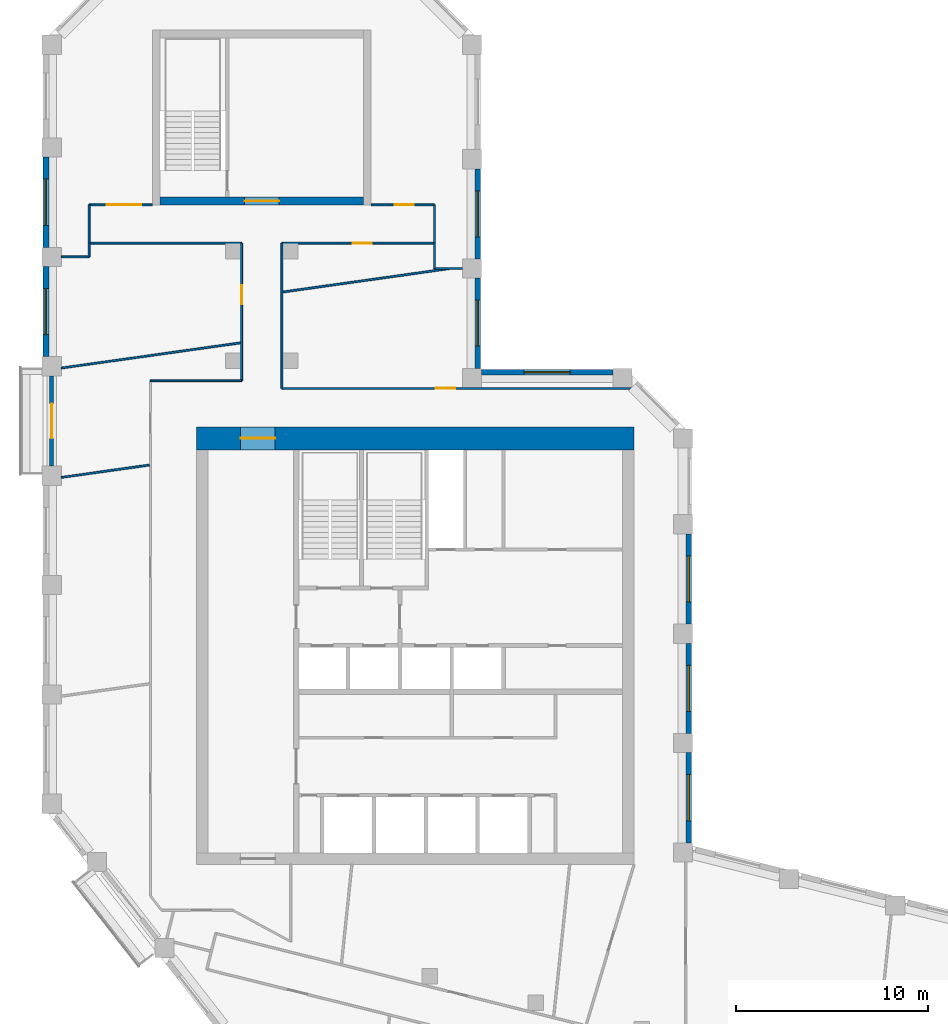
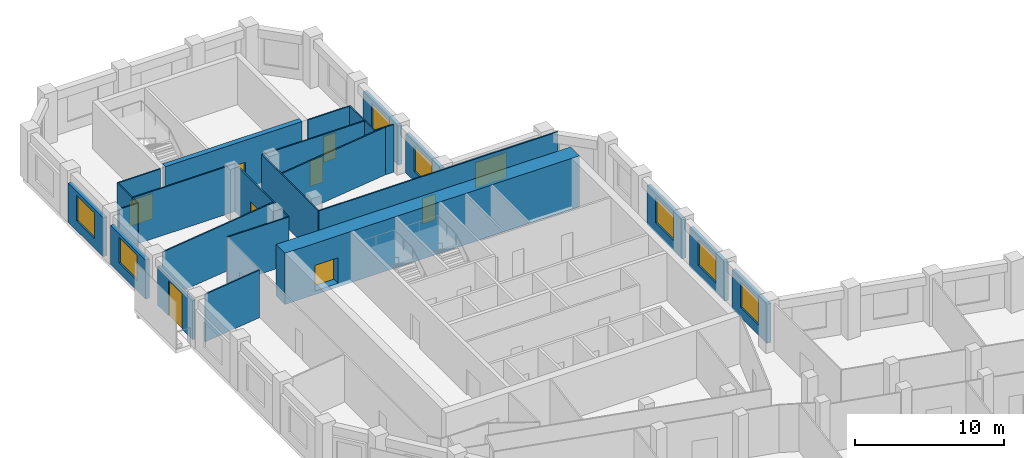
# One storey, part 6 of 9: 28 walls, 8 doors, 8 windows, 16 openings.
"""IFC4 building model written with IfcOpenShell, lengths in metres."""

from ifc_helpers import new_model, si_unit, direction, frame, frame_2d, origin, place, context, subcontext, project, spatial, rectangle, extrude, material, layer, layer_set, type_object, element, fill, save


model = new_model("IFC4")

# Units and contexts
model_context = context("Model", 3, precision=1e-05, world=origin(), true_north=direction((0.0, 1.0)))
body_context = subcontext(model_context, "Body", "Model", "MODEL_VIEW")
ifc_project = project(units=[si_unit("LENGTHUNIT", "METRE"), si_unit("AREAUNIT", "SQUARE_METRE"), si_unit("VOLUMEUNIT", "CUBIC_METRE"), si_unit("PLANEANGLEUNIT", "RADIAN"), si_unit("MASSUNIT", "GRAM", prefix="KILO")], contexts=[model_context])

# Site, building, storey
site_placement = place(None, origin())
site = spatial("IfcSite", under=ifc_project, at=site_placement, CompositionType="ELEMENT")
building_placement = place(site_placement, origin())
building = spatial("IfcBuilding", under=site, at=building_placement, Name="Meshkara Civic Tower", CompositionType="ELEMENT")
storey_placement = place(building_placement, frame((0.0, 0.0, 319.199951171875)))
storey = spatial("IfcBuildingStorey", under=building, at=storey_placement, Name="L73", CompositionType="ELEMENT", Elevation=319.199951171875)

# Wall, opening, door
ifc_material_1 = material(Name="Concrete C60", Category="concrete")
ifc_layer_1 = layer(ifc_material_1, 1.199951171875)
ifc_layer_set_1 = layer_set([ifc_layer_1], Name="Core ring wall 1200 C60")
wall_type_1 = type_object("IfcWallType", Name="Core ring wall 1200 C60", PredefinedType="SHEAR", material=ifc_layer_set_1)
wall_1_placement = place(storey_placement, frame((8.0, 36.300048828125, -0.300048828125), z_axis=(0.0, 0.0, 1.0), x_axis=(1.0, 0.0, 0.0)))
wall_1 = element("IfcWall", 1, at=wall_1_placement, inside=storey, type_object=wall_type_1, Name="L73-C002", PredefinedType="SHEAR", context=body_context, shape_type="SweptSolid", body=[
    extrude(rectangle(XDim=22.800048828125, YDim=1.199951171875, at=frame_2d((11.39990234375, 0.0))), origin(), (0.0, 0.0, 1.0), 4.2001953125),
])
opening_1_placement = place(wall_1_placement, frame((2.300048828125, 0.0, 0.300048828125)))
opening_1 = element("IfcOpeningElement", 2, at=opening_1_placement, cuts=wall_1, Name="Opening L73-K022", PredefinedType="OPENING", context=body_context, shape_type="SweptSolid", body=[
    extrude(rectangle(XDim=1.800048828125, YDim=2.10009765625, at=frame_2d((0.89990234375, 1.050048828125))), frame((0.0, 0.60986328125, 0.0), z_axis=(0.0, -1.0, 0.0), x_axis=(1.0, 0.0, 0.0)), (0.0, 0.0, 1.0), 1.219970703125),
])
ifc_material_2 = material(Name="Fire-rated door leaf in steel frame", Category="steel")
door_type_1 = type_object("IfcDoorType", Name="Core double door 1800 EI 60", OperationType="DOUBLE_DOOR_SINGLE_SWING", PredefinedType="DOOR", material=ifc_material_2)
door_1_placement = place(opening_1_placement, origin())
door_1 = element("IfcDoor", 3, at=door_1_placement, inside=storey, type_object=door_type_1, Name="L73-K022", OperationType="DOUBLE_DOOR_SINGLE_SWING", OverallHeight=2.10009765625, OverallWidth=1.800048828125, PredefinedType="DOOR", context=body_context, shape_type="SweptSolid", body=[
    extrude(rectangle(XDim=1.800048828125, YDim=2.10009765625, at=frame_2d((0.89990234375, 1.050048828125))), frame((0.0, 0.02490234375, 0.0), z_axis=(0.0, -1.0, 0.0), x_axis=(1.0, 0.0, 0.0)), (0.0, 0.0, 1.0), 0.050048828125),
])
fill(opening_1, door_1)

# Walls
ifc_material_3 = material(Name="Corridor wall 100")
ifc_layer_2 = layer(ifc_material_3, 0.10009765625)
ifc_layer_set_2 = layer_set([ifc_layer_2], Name="Corridor wall 100")
wall_type_2 = type_object("IfcWallType", Name="Corridor wall 100", PredefinedType="PARTITIONING", material=ifc_layer_set_2)
wall_2_placement = place(storey_placement, frame((2.39990234375, 46.469970703125, 0.0), z_axis=(0.0, 0.0, 1.0), x_axis=(1.0, 0.0, 0.0)))
element("IfcWall", 4, at=wall_2_placement, inside=storey, type_object=wall_type_2, Name="L73-W001", PredefinedType="PARTITIONING", context=body_context, shape_type="SweptSolid", body=[
    extrude(rectangle(XDim=7.9501953125, YDim=0.10009765625, at=frame_2d((3.97509765625, 0.0))), origin(), (0.0, 0.0, 1.0), 3.900146484375),
])
wall_3_placement = place(storey_placement, frame((2.39990234375, 48.469970703125, 0.0), z_axis=(0.0, 0.0, 1.0), x_axis=(0.0, -1.0, 0.0)))
element("IfcWall", 5, at=wall_3_placement, inside=storey, type_object=wall_type_2, Name="L73-W002", PredefinedType="PARTITIONING", context=body_context, shape_type="SweptSolid", body=[
    extrude(rectangle(XDim=2.0, YDim=0.10009765625, at=frame_2d((1.0, 0.0))), origin(), (0.0, 0.0, 1.0), 3.900146484375),
])

# Wall, opening, door
wall_4_placement = place(storey_placement, frame((5.699951171875, 48.469970703125, 0.0), z_axis=(0.0, 0.0, 1.0), x_axis=(-1.0, 0.0, 0.0)))
wall_4 = element("IfcWall", 6, at=wall_4_placement, inside=storey, type_object=wall_type_2, Name="L73-W005", PredefinedType="PARTITIONING", context=body_context, shape_type="SweptSolid", body=[
    extrude(rectangle(XDim=3.300048828125, YDim=0.10009765625, at=frame_2d((1.64990234375, 0.0))), origin(), (0.0, 0.0, 1.0), 3.900146484375),
])
opening_2_placement = place(wall_4_placement, frame((0.580078125, 0.0, 0.0)))
opening_2 = element("IfcOpeningElement", 7, at=opening_2_placement, cuts=wall_4, Name="Opening L73-D019", PredefinedType="OPENING", context=body_context, shape_type="SweptSolid", body=[
    extrude(rectangle(XDim=1.800048828125, YDim=2.10009765625, at=frame_2d((0.89990234375, 1.050048828125))), frame((0.0, 0.06005859375, 0.0), z_axis=(0.0, -1.0, 0.0), x_axis=(1.0, 0.0, 0.0)), (0.0, 0.0, 1.0), 0.1201171875),
])
ifc_material_4 = material(Name="Door pair 1800 x 2100")
door_type_2 = type_object("IfcDoorType", Name="Door pair 1800 x 2100", OperationType="SINGLE_SWING_LEFT", PredefinedType="DOOR", material=ifc_material_4)
door_2_placement = place(opening_2_placement, origin())
door_2 = element("IfcDoor", 8, at=door_2_placement, inside=storey, type_object=door_type_2, Name="L73-D019", OperationType="DOUBLE_DOOR_SINGLE_SWING", OverallHeight=2.10009765625, OverallWidth=1.800048828125, PredefinedType="DOOR", context=body_context, shape_type="SweptSolid", body=[
    extrude(rectangle(XDim=1.800048828125, YDim=2.10009765625, at=frame_2d((0.89990234375, 1.050048828125))), frame((0.0, 0.02490234375, 0.0), z_axis=(0.0, -1.0, 0.0), x_axis=(1.0, 0.0, 0.0)), (0.0, 0.0, 1.0), 0.050048828125),
])
fill(opening_2, door_2)

# Wall
wall_5_placement = place(storey_placement, frame((10.35009765625, 39.300048828125, 0.0), z_axis=(0.0, 0.0, 1.0), x_axis=(-1.0, 0.0, 0.0)))
element("IfcWall", 9, at=wall_5_placement, inside=storey, type_object=wall_type_2, Name="L73-W011", PredefinedType="PARTITIONING", context=body_context, shape_type="SweptSolid", body=[
    extrude(rectangle(XDim=4.75, YDim=0.10009765625, at=frame_2d((2.375, 0.0))), origin(), (0.0, 0.0, 1.0), 3.900146484375),
])

# Wall, opening, door
wall_6_placement = place(storey_placement, frame((10.35009765625, 46.469970703125, 0.0), z_axis=(0.0, 0.0, 1.0), x_axis=(0.0, -1.0, 0.0)))
wall_6 = element("IfcWall", 10, at=wall_6_placement, inside=storey, type_object=wall_type_2, Name="L73-W012", PredefinedType="PARTITIONING", context=body_context, shape_type="SweptSolid", body=[
    extrude(rectangle(XDim=7.169921875, YDim=0.10009765625, at=frame_2d((3.5849609375, 0.0))), origin(), (0.0, 0.0, 1.0), 3.900146484375),
])
opening_3_placement = place(wall_6_placement, frame((2.179931640625, 0.0, 0.0)))
opening_3 = element("IfcOpeningElement", 11, at=opening_3_placement, cuts=wall_6, Name="Opening L73-D017", PredefinedType="OPENING", context=body_context, shape_type="SweptSolid", body=[
    extrude(rectangle(XDim=1.0, YDim=2.10009765625, at=frame_2d((0.5, 1.050048828125))), frame((0.0, 0.06005859375, 0.0), z_axis=(0.0, -1.0, 0.0), x_axis=(1.0, 0.0, 0.0)), (0.0, 0.0, 1.0), 0.1201171875),
])
ifc_material_5 = material(Name="Door 1000 x 2100")
door_type_3 = type_object("IfcDoorType", Name="Door 1000 x 2100", OperationType="SINGLE_SWING_LEFT", PredefinedType="DOOR", material=ifc_material_5)
door_3_placement = place(opening_3_placement, origin())
door_3 = element("IfcDoor", 12, at=door_3_placement, inside=storey, type_object=door_type_3, Name="L73-D017", OperationType="SINGLE_SWING_LEFT", OverallHeight=2.10009765625, OverallWidth=1.0, PredefinedType="DOOR", context=body_context, shape_type="SweptSolid", body=[
    extrude(rectangle(XDim=1.0, YDim=2.10009765625, at=frame_2d((0.5, 1.050048828125))), frame((0.0, 0.02490234375, 0.0), z_axis=(0.0, -1.0, 0.0), x_axis=(1.0, 0.0, 0.0)), (0.0, 0.0, 1.0), 0.050048828125),
])
fill(opening_3, door_3)

# Wall
wall_7_placement = place(storey_placement, frame((12.449951171875, 46.469970703125, 0.0), z_axis=(0.0, 0.0, 1.0), x_axis=(0.0, -1.0, 0.0)))
element("IfcWall", 13, at=wall_7_placement, inside=storey, type_object=wall_type_2, Name="L73-W013", PredefinedType="PARTITIONING", context=body_context, shape_type="SweptSolid", body=[
    extrude(rectangle(XDim=7.570068359375, YDim=0.10009765625, at=frame_2d((3.78515625, 0.0))), origin(), (0.0, 0.0, 1.0), 3.900146484375),
])

# Wall, opening, door
wall_8_placement = place(storey_placement, frame((12.449951171875, 46.469970703125, 0.0), z_axis=(0.0, 0.0, 1.0), x_axis=(1.0, 0.0, 0.0)))
wall_8 = element("IfcWall", 14, at=wall_8_placement, inside=storey, type_object=wall_type_2, Name="L73-W014", PredefinedType="PARTITIONING", context=body_context, shape_type="SweptSolid", body=[
    extrude(rectangle(XDim=7.949951171875, YDim=0.10009765625, at=frame_2d((3.97509765625, 0.0))), origin(), (0.0, 0.0, 1.0), 3.900146484375),
])
opening_4_placement = place(wall_8_placement, frame((3.679931640625, 0.0, 0.0)))
opening_4 = element("IfcOpeningElement", 15, at=opening_4_placement, cuts=wall_8, Name="Opening L73-D018", PredefinedType="OPENING", context=body_context, shape_type="SweptSolid", body=[
    extrude(rectangle(XDim=1.0, YDim=2.10009765625, at=frame_2d((0.5, 1.050048828125))), frame((0.0, 0.06005859375, 0.0), z_axis=(0.0, -1.0, 0.0), x_axis=(1.0, 0.0, 0.0)), (0.0, 0.0, 1.0), 0.1201171875),
])
door_4_placement = place(opening_4_placement, origin())
door_4 = element("IfcDoor", 16, at=door_4_placement, inside=storey, type_object=door_type_3, Name="L73-D018", OperationType="SINGLE_SWING_LEFT", OverallHeight=2.10009765625, OverallWidth=1.0, PredefinedType="DOOR", context=body_context, shape_type="SweptSolid", body=[
    extrude(rectangle(XDim=1.0, YDim=2.10009765625, at=frame_2d((0.5, 1.050048828125))), frame((0.0, 0.02490234375, 0.0), z_axis=(0.0, -1.0, 0.0), x_axis=(1.0, 0.0, 0.0)), (0.0, 0.0, 1.0), 0.050048828125),
])
fill(opening_4, door_4)

# Wall
wall_9_placement = place(storey_placement, frame((20.39990234375, 46.469970703125, 0.0), z_axis=(0.0, 0.0, 1.0), x_axis=(0.0, 1.0, 0.0)))
element("IfcWall", 17, at=wall_9_placement, inside=storey, type_object=wall_type_2, Name="L73-W016", PredefinedType="PARTITIONING", context=body_context, shape_type="SweptSolid", body=[
    extrude(rectangle(XDim=2.0, YDim=0.10009765625, at=frame_2d((1.0, 0.0))), origin(), (0.0, 0.0, 1.0), 3.900146484375),
])

# Wall, opening, door
wall_10_placement = place(storey_placement, frame((20.39990234375, 48.469970703125, 0.0), z_axis=(0.0, 0.0, 1.0), x_axis=(-1.0, 0.0, 0.0)))
wall_10 = element("IfcWall", 18, at=wall_10_placement, inside=storey, type_object=wall_type_2, Name="L73-W017", PredefinedType="PARTITIONING", context=body_context, shape_type="SweptSolid", body=[
    extrude(rectangle(XDim=3.2998046875, YDim=0.10009765625, at=frame_2d((1.64990234375, 0.0))), origin(), (0.0, 0.0, 1.0), 3.900146484375),
])
opening_5_placement = place(wall_10_placement, frame((1.080078125, 0.0, 0.0)))
opening_5 = element("IfcOpeningElement", 19, at=opening_5_placement, cuts=wall_10, Name="Opening L73-D020", PredefinedType="OPENING", context=body_context, shape_type="SweptSolid", body=[
    extrude(rectangle(XDim=1.0, YDim=2.10009765625, at=frame_2d((0.5, 1.050048828125))), frame((0.0, 0.06005859375, 0.0), z_axis=(0.0, -1.0, 0.0), x_axis=(1.0, 0.0, 0.0)), (0.0, 0.0, 1.0), 0.1201171875),
])
door_5_placement = place(opening_5_placement, origin())
door_5 = element("IfcDoor", 20, at=door_5_placement, inside=storey, type_object=door_type_3, Name="L73-D020", OperationType="SINGLE_SWING_RIGHT", OverallHeight=2.10009765625, OverallWidth=1.0, PredefinedType="DOOR", context=body_context, shape_type="SweptSolid", body=[
    extrude(rectangle(XDim=1.0, YDim=2.10009765625, at=frame_2d((0.5, 1.050048828125))), frame((0.0, 0.02490234375, 0.0), z_axis=(0.0, -1.0, 0.0), x_axis=(1.0, 0.0, 0.0)), (0.0, 0.0, 1.0), 0.050048828125),
])
fill(opening_5, door_5)

wall_11_placement = place(storey_placement, frame((30.9560546875, 38.89990234375, 0.0), z_axis=(0.0, 0.0, 1.0), x_axis=(-1.0, 0.0, 0.0)))
wall_11 = element("IfcWall", 21, at=wall_11_placement, inside=storey, type_object=wall_type_2, Name="L73-W021", PredefinedType="PARTITIONING", context=body_context, shape_type="SweptSolid", body=[
    extrude(rectangle(XDim=18.506103515625, YDim=0.10009765625, at=frame_2d((9.2529296875, 0.0))), origin(), (0.0, 0.0, 1.0), 3.900146484375),
])
opening_6_placement = place(wall_11_placement, frame((9.47998046875, 0.0, 0.0)))
opening_6 = element("IfcOpeningElement", 22, at=opening_6_placement, cuts=wall_11, Name="Opening L73-D016", PredefinedType="OPENING", context=body_context, shape_type="SweptSolid", body=[
    extrude(rectangle(XDim=1.0, YDim=2.10009765625, at=frame_2d((0.5, 1.050048828125))), frame((0.0, 0.06005859375, 0.0), z_axis=(0.0, -1.0, 0.0), x_axis=(1.0, 0.0, 0.0)), (0.0, 0.0, 1.0), 0.1201171875),
])
door_6_placement = place(opening_6_placement, origin())
door_6 = element("IfcDoor", 23, at=door_6_placement, inside=storey, type_object=door_type_3, Name="L73-D016", OperationType="SINGLE_SWING_LEFT", OverallHeight=2.10009765625, OverallWidth=1.0, PredefinedType="DOOR", context=body_context, shape_type="SweptSolid", body=[
    extrude(rectangle(XDim=1.0, YDim=2.10009765625, at=frame_2d((0.5, 1.050048828125))), frame((0.0, 0.02490234375, 0.0), z_axis=(0.0, -1.0, 0.0), x_axis=(1.0, 0.0, 0.0)), (0.0, 0.0, 1.0), 0.050048828125),
])
fill(opening_6, door_6)

# Wall, opening, window
ifc_material_6 = material(Name="Insulated infill panel with bronze anodised aluminium cladding", Category="aluminium")
ifc_layer_3 = layer(ifc_material_6, 0.300048828125)
ifc_layer_set_3 = layer_set([ifc_layer_3], Name="EXTERNAL INFILL WALL 300")
wall_type_3 = type_object("IfcWallType", Name="EXTERNAL INFILL WALL 300", PredefinedType="SOLIDWALL", material=ifc_layer_set_3)
wall_12_placement = place(storey_placement, frame((33.64990234375, 15.218994140625, 0.0), z_axis=(0.0, 0.0, 1.0), x_axis=(0.0, 1.0, 0.0)))
wall_12 = element("IfcWall", 24, at=wall_12_placement, inside=storey, type_object=wall_type_3, Name="External wall", PredefinedType="SOLIDWALL", context=body_context, shape_type="SweptSolid", body=[
    extrude(rectangle(XDim=4.699951171875, YDim=0.300048828125, at=frame_2d((2.35009765625, 0.0))), origin(), (0.0, 0.0, 1.0), 3.199951171875),
])
opening_7_placement = place(wall_12_placement, frame((1.14990234375, 0.0, 0.800048828125)))
opening_7 = element("IfcOpeningElement", 25, at=opening_7_placement, cuts=wall_12, Name="Opening W7", PredefinedType="OPENING", context=body_context, shape_type="SweptSolid", body=[
    extrude(rectangle(XDim=2.39990234375, YDim=2.10009765625, at=frame_2d((1.199951171875, 1.050048828125))), frame((0.0, 0.159912109375, 0.0), z_axis=(0.0, -1.0, 0.0), x_axis=(1.0, 0.0, 0.0)), (0.0, 0.0, 1.0), 0.320068359375),
])
ifc_material_7 = material(Name="Tinted double glazing", Category="glass")
window_type = type_object("IfcWindowType", Name="WINDOW 2400x2100", PartitioningType="DOUBLE_PANEL_VERTICAL", PredefinedType="WINDOW", material=ifc_material_7)
window_1_placement = place(opening_7_placement, origin())
window_1 = element("IfcWindow", 26, at=window_1_placement, inside=storey, type_object=window_type, Name="Window", OverallHeight=2.10009765625, OverallWidth=2.39990234375, PartitioningType="DOUBLE_PANEL_VERTICAL", PredefinedType="WINDOW", context=body_context, shape_type="SweptSolid", body=[
    extrude(rectangle(XDim=2.39990234375, YDim=2.10009765625, at=frame_2d((1.199951171875, 1.050048828125))), frame((0.0, 0.030029296875, 0.0), z_axis=(0.0, -1.0, 0.0), x_axis=(1.0, 0.0, 0.0)), (0.0, 0.0, 1.0), 0.06005859375),
])
fill(opening_7, window_1)

wall_13_placement = place(storey_placement, frame((33.64990234375, 20.9189453125, 0.0), z_axis=(0.0, 0.0, 1.0), x_axis=(0.0, 1.0, 0.0)))
wall_13 = element("IfcWall", 27, at=wall_13_placement, inside=storey, type_object=wall_type_3, Name="External wall", PredefinedType="SOLIDWALL", context=body_context, shape_type="SweptSolid", body=[
    extrude(rectangle(XDim=4.699951171875, YDim=0.300048828125, at=frame_2d((2.35009765625, 0.0))), origin(), (0.0, 0.0, 1.0), 3.199951171875),
])
opening_8_placement = place(wall_13_placement, frame((1.14990234375, 0.0, 0.800048828125)))
opening_8 = element("IfcOpeningElement", 28, at=opening_8_placement, cuts=wall_13, Name="Opening W7", PredefinedType="OPENING", context=body_context, shape_type="SweptSolid", body=[
    extrude(rectangle(XDim=2.39990234375, YDim=2.10009765625, at=frame_2d((1.199951171875, 1.050048828125))), frame((0.0, 0.159912109375, 0.0), z_axis=(0.0, -1.0, 0.0), x_axis=(1.0, 0.0, 0.0)), (0.0, 0.0, 1.0), 0.320068359375),
])
window_2_placement = place(opening_8_placement, origin())
window_2 = element("IfcWindow", 29, at=window_2_placement, inside=storey, type_object=window_type, Name="Window", OverallHeight=2.10009765625, OverallWidth=2.39990234375, PartitioningType="DOUBLE_PANEL_VERTICAL", PredefinedType="WINDOW", context=body_context, shape_type="SweptSolid", body=[
    extrude(rectangle(XDim=2.39990234375, YDim=2.10009765625, at=frame_2d((1.199951171875, 1.050048828125))), frame((0.0, 0.030029296875, 0.0), z_axis=(0.0, -1.0, 0.0), x_axis=(1.0, 0.0, 0.0)), (0.0, 0.0, 1.0), 0.06005859375),
])
fill(opening_8, window_2)

wall_14_placement = place(storey_placement, frame((33.64990234375, 26.618896484375, 0.0), z_axis=(0.0, 0.0, 1.0), x_axis=(0.0, 1.0, 0.0)))
wall_14 = element("IfcWall", 30, at=wall_14_placement, inside=storey, type_object=wall_type_3, Name="External wall", PredefinedType="SOLIDWALL", context=body_context, shape_type="SweptSolid", body=[
    extrude(rectangle(XDim=4.7001953125, YDim=0.300048828125, at=frame_2d((2.35009765625, 0.0))), origin(), (0.0, 0.0, 1.0), 3.199951171875),
])
opening_9_placement = place(wall_14_placement, frame((1.14990234375, 0.0, 0.800048828125)))
opening_9 = element("IfcOpeningElement", 31, at=opening_9_placement, cuts=wall_14, Name="Opening W7", PredefinedType="OPENING", context=body_context, shape_type="SweptSolid", body=[
    extrude(rectangle(XDim=2.39990234375, YDim=2.10009765625, at=frame_2d((1.199951171875, 1.050048828125))), frame((0.0, 0.159912109375, 0.0), z_axis=(0.0, -1.0, 0.0), x_axis=(1.0, 0.0, 0.0)), (0.0, 0.0, 1.0), 0.320068359375),
])
window_3_placement = place(opening_9_placement, origin())
window_3 = element("IfcWindow", 32, at=window_3_placement, inside=storey, type_object=window_type, Name="Window", OverallHeight=2.10009765625, OverallWidth=2.39990234375, PartitioningType="DOUBLE_PANEL_VERTICAL", PredefinedType="WINDOW", context=body_context, shape_type="SweptSolid", body=[
    extrude(rectangle(XDim=2.39990234375, YDim=2.10009765625, at=frame_2d((1.199951171875, 1.050048828125))), frame((0.0, 0.030029296875, 0.0), z_axis=(0.0, -1.0, 0.0), x_axis=(1.0, 0.0, 0.0)), (0.0, 0.0, 1.0), 0.06005859375),
])
fill(opening_9, window_3)

wall_15_placement = place(storey_placement, frame((29.694091796875, 39.75, 0.0), z_axis=(0.0, 0.0, 1.0), x_axis=(-1.0, 0.0, 0.0)))
wall_15 = element("IfcWall", 33, at=wall_15_placement, inside=storey, type_object=wall_type_3, Name="External wall", PredefinedType="SOLIDWALL", context=body_context, shape_type="SweptSolid", body=[
    extrude(rectangle(XDim=6.843994140625, YDim=0.300048828125, at=frame_2d((3.421875, 0.0))), origin(), (0.0, 0.0, 1.0), 3.199951171875),
])
opening_10_placement = place(wall_15_placement, frame((2.221923828125, 0.0, 0.800048828125)))
opening_10 = element("IfcOpeningElement", 34, at=opening_10_placement, cuts=wall_15, Name="Opening W7", PredefinedType="OPENING", context=body_context, shape_type="SweptSolid", body=[
    extrude(rectangle(XDim=2.39990234375, YDim=2.10009765625, at=frame_2d((1.199951171875, 1.050048828125))), frame((0.0, 0.159912109375, 0.0), z_axis=(0.0, -1.0, 0.0), x_axis=(1.0, 0.0, 0.0)), (0.0, 0.0, 1.0), 0.320068359375),
])
window_4_placement = place(opening_10_placement, origin())
window_4 = element("IfcWindow", 35, at=window_4_placement, inside=storey, type_object=window_type, Name="Window", OverallHeight=2.10009765625, OverallWidth=2.39990234375, PartitioningType="DOUBLE_PANEL_VERTICAL", PredefinedType="WINDOW", context=body_context, shape_type="SweptSolid", body=[
    extrude(rectangle(XDim=2.39990234375, YDim=2.10009765625, at=frame_2d((1.199951171875, 1.050048828125))), frame((0.0, 0.030029296875, 0.0), z_axis=(0.0, -1.0, 0.0), x_axis=(1.0, 0.0, 0.0)), (0.0, 0.0, 1.0), 0.06005859375),
])
fill(opening_10, window_4)

wall_16_placement = place(storey_placement, frame((22.64990234375, 39.949951171875, 0.0), z_axis=(0.0, 0.0, 1.0), x_axis=(0.0, 1.0, 0.0)))
wall_16 = element("IfcWall", 36, at=wall_16_placement, inside=storey, type_object=wall_type_3, Name="External wall", PredefinedType="SOLIDWALL", context=body_context, shape_type="SweptSolid", body=[
    extrude(rectangle(XDim=4.699951171875, YDim=0.300048828125, at=frame_2d((2.35009765625, 0.0))), origin(), (0.0, 0.0, 1.0), 3.199951171875),
])
opening_11_placement = place(wall_16_placement, frame((1.14990234375, 0.0, 0.800048828125)))
opening_11 = element("IfcOpeningElement", 37, at=opening_11_placement, cuts=wall_16, Name="Opening W7", PredefinedType="OPENING", context=body_context, shape_type="SweptSolid", body=[
    extrude(rectangle(XDim=2.39990234375, YDim=2.10009765625, at=frame_2d((1.199951171875, 1.050048828125))), frame((0.0, 0.159912109375, 0.0), z_axis=(0.0, -1.0, 0.0), x_axis=(1.0, 0.0, 0.0)), (0.0, 0.0, 1.0), 0.320068359375),
])
window_5_placement = place(opening_11_placement, origin())
window_5 = element("IfcWindow", 38, at=window_5_placement, inside=storey, type_object=window_type, Name="Window", OverallHeight=2.10009765625, OverallWidth=2.39990234375, PartitioningType="DOUBLE_PANEL_VERTICAL", PredefinedType="WINDOW", context=body_context, shape_type="SweptSolid", body=[
    extrude(rectangle(XDim=2.39990234375, YDim=2.10009765625, at=frame_2d((1.199951171875, 1.050048828125))), frame((0.0, 0.030029296875, 0.0), z_axis=(0.0, -1.0, 0.0), x_axis=(1.0, 0.0, 0.0)), (0.0, 0.0, 1.0), 0.06005859375),
])
fill(opening_11, window_5)

wall_17_placement = place(storey_placement, frame((22.64990234375, 45.64990234375, 0.0), z_axis=(0.0, 0.0, 1.0), x_axis=(0.0, 1.0, 0.0)))
wall_17 = element("IfcWall", 39, at=wall_17_placement, inside=storey, type_object=wall_type_3, Name="External wall", PredefinedType="SOLIDWALL", context=body_context, shape_type="SweptSolid", body=[
    extrude(rectangle(XDim=4.7001953125, YDim=0.300048828125, at=frame_2d((2.35009765625, 0.0))), origin(), (0.0, 0.0, 1.0), 3.199951171875),
])
opening_12_placement = place(wall_17_placement, frame((1.14990234375, 0.0, 0.800048828125)))
opening_12 = element("IfcOpeningElement", 40, at=opening_12_placement, cuts=wall_17, Name="Opening W7", PredefinedType="OPENING", context=body_context, shape_type="SweptSolid", body=[
    extrude(rectangle(XDim=2.39990234375, YDim=2.10009765625, at=frame_2d((1.199951171875, 1.050048828125))), frame((0.0, 0.159912109375, 0.0), z_axis=(0.0, -1.0, 0.0), x_axis=(1.0, 0.0, 0.0)), (0.0, 0.0, 1.0), 0.320068359375),
])
window_6_placement = place(opening_12_placement, origin())
window_6 = element("IfcWindow", 41, at=window_6_placement, inside=storey, type_object=window_type, Name="Window", OverallHeight=2.10009765625, OverallWidth=2.39990234375, PartitioningType="DOUBLE_PANEL_VERTICAL", PredefinedType="WINDOW", context=body_context, shape_type="SweptSolid", body=[
    extrude(rectangle(XDim=2.39990234375, YDim=2.10009765625, at=frame_2d((1.199951171875, 1.050048828125))), frame((0.0, 0.030029296875, 0.0), z_axis=(0.0, -1.0, 0.0), x_axis=(1.0, 0.0, 0.0)), (0.0, 0.0, 1.0), 0.06005859375),
])
fill(opening_12, window_6)

wall_18_placement = place(storey_placement, frame((0.14990234375, 50.955078125, 0.0), z_axis=(0.0, 0.0, 1.0), x_axis=(0.0, -1.0, 0.0)))
wall_18 = element("IfcWall", 42, at=wall_18_placement, inside=storey, type_object=wall_type_3, Name="External wall", PredefinedType="SOLIDWALL", context=body_context, shape_type="SweptSolid", body=[
    extrude(rectangle(XDim=4.7001953125, YDim=0.300048828125, at=frame_2d((2.35009765625, 0.0))), origin(), (0.0, 0.0, 1.0), 3.199951171875),
])
opening_13_placement = place(wall_18_placement, frame((1.14990234375, 0.0, 0.800048828125)))
opening_13 = element("IfcOpeningElement", 43, at=opening_13_placement, cuts=wall_18, Name="Opening W7", PredefinedType="OPENING", context=body_context, shape_type="SweptSolid", body=[
    extrude(rectangle(XDim=2.39990234375, YDim=2.10009765625, at=frame_2d((1.199951171875, 1.050048828125))), frame((0.0, 0.159912109375, 0.0), z_axis=(0.0, -1.0, 0.0), x_axis=(1.0, 0.0, 0.0)), (0.0, 0.0, 1.0), 0.320068359375),
])
window_7_placement = place(opening_13_placement, origin())
window_7 = element("IfcWindow", 44, at=window_7_placement, inside=storey, type_object=window_type, Name="Window", OverallHeight=2.10009765625, OverallWidth=2.39990234375, PartitioningType="DOUBLE_PANEL_VERTICAL", PredefinedType="WINDOW", context=body_context, shape_type="SweptSolid", body=[
    extrude(rectangle(XDim=2.39990234375, YDim=2.10009765625, at=frame_2d((1.199951171875, 1.050048828125))), frame((0.0, 0.030029296875, 0.0), z_axis=(0.0, -1.0, 0.0), x_axis=(1.0, 0.0, 0.0)), (0.0, 0.0, 1.0), 0.06005859375),
])
fill(opening_13, window_7)

wall_19_placement = place(storey_placement, frame((0.14990234375, 45.2548828125, 0.0), z_axis=(0.0, 0.0, 1.0), x_axis=(0.0, -1.0, 0.0)))
wall_19 = element("IfcWall", 45, at=wall_19_placement, inside=storey, type_object=wall_type_3, Name="External wall", PredefinedType="SOLIDWALL", context=body_context, shape_type="SweptSolid", body=[
    extrude(rectangle(XDim=4.699951171875, YDim=0.300048828125, at=frame_2d((2.35009765625, 0.0))), origin(), (0.0, 0.0, 1.0), 3.199951171875),
])
opening_14_placement = place(wall_19_placement, frame((1.14990234375, 0.0, 0.800048828125)))
opening_14 = element("IfcOpeningElement", 46, at=opening_14_placement, cuts=wall_19, Name="Opening W7", PredefinedType="OPENING", context=body_context, shape_type="SweptSolid", body=[
    extrude(rectangle(XDim=2.39990234375, YDim=2.10009765625, at=frame_2d((1.199951171875, 1.050048828125))), frame((0.0, 0.159912109375, 0.0), z_axis=(0.0, -1.0, 0.0), x_axis=(1.0, 0.0, 0.0)), (0.0, 0.0, 1.0), 0.320068359375),
])
window_8_placement = place(opening_14_placement, origin())
window_8 = element("IfcWindow", 47, at=window_8_placement, inside=storey, type_object=window_type, Name="Window", OverallHeight=2.10009765625, OverallWidth=2.39990234375, PartitioningType="DOUBLE_PANEL_VERTICAL", PredefinedType="WINDOW", context=body_context, shape_type="SweptSolid", body=[
    extrude(rectangle(XDim=2.39990234375, YDim=2.10009765625, at=frame_2d((1.199951171875, 1.050048828125))), frame((0.0, 0.030029296875, 0.0), z_axis=(0.0, -1.0, 0.0), x_axis=(1.0, 0.0, 0.0)), (0.0, 0.0, 1.0), 0.06005859375),
])
fill(opening_14, window_8)

# Wall, opening, door
ifc_material_8 = material(Name="Concrete C60", Category="concrete")
ifc_layer_4 = layer(ifc_material_8, 0.39990234375)
ifc_layer_set_4 = layer_set([ifc_layer_4], Name="End core ring wall 400 C60")
wall_type_4 = type_object("IfcWallType", Name="End core ring wall 400 C60", PredefinedType="SHEAR", material=ifc_layer_set_4)
wall_20_placement = place(storey_placement, frame((6.10009765625, 48.669921875, -0.300048828125), z_axis=(0.0, 0.0, 1.0), x_axis=(1.0, 0.0, 0.0)))
wall_20 = element("IfcWall", 48, at=wall_20_placement, inside=storey, type_object=wall_type_4, Name="L73-C029", PredefinedType="SHEAR", context=body_context, shape_type="SweptSolid", body=[
    extrude(rectangle(XDim=10.599853515625, YDim=0.39990234375, at=frame_2d((5.2998046875, 0.0))), origin(), (0.0, 0.0, 1.0), 4.2001953125),
])
opening_15_placement = place(wall_20_placement, frame((4.39990234375, 0.0, 0.300048828125)))
opening_15 = element("IfcOpeningElement", 49, at=opening_15_placement, cuts=wall_20, Name="Opening L73-K102", PredefinedType="OPENING", context=body_context, shape_type="SweptSolid", body=[
    extrude(rectangle(XDim=1.800048828125, YDim=2.10009765625, at=frame_2d((0.89990234375, 1.050048828125))), frame((0.0, 0.2099609375, 0.0), z_axis=(0.0, -1.0, 0.0), x_axis=(1.0, 0.0, 0.0)), (0.0, 0.0, 1.0), 0.419921875),
])
door_7_placement = place(opening_15_placement, origin())
door_7 = element("IfcDoor", 50, at=door_7_placement, inside=storey, type_object=door_type_1, Name="L73-K102", OperationType="DOUBLE_DOOR_SINGLE_SWING", OverallHeight=2.10009765625, OverallWidth=1.800048828125, PredefinedType="DOOR", context=body_context, shape_type="SweptSolid", body=[
    extrude(rectangle(XDim=1.800048828125, YDim=2.10009765625, at=frame_2d((0.89990234375, 1.050048828125))), frame((0.0, 0.02490234375, 0.0), z_axis=(0.0, -1.0, 0.0), x_axis=(1.0, 0.0, 0.0)), (0.0, 0.0, 1.0), 0.050048828125),
])
fill(opening_15, door_7)

ifc_material_9 = material(Name="Insulated infill panel with bronze anodised aluminium cladding", Category="aluminium")
ifc_layer_5 = layer(ifc_material_9, 0.199951171875)
ifc_layer_set_5 = layer_set([ifc_layer_5], Name="LOGGIA BACK WALL 200")
wall_type_5 = type_object("IfcWallType", Name="LOGGIA BACK WALL 200", PredefinedType="SOLIDWALL", material=ifc_layer_set_5)
wall_21_placement = place(storey_placement, frame((0.449951171875, 39.554931640625, 0.0), z_axis=(0.0, 0.0, 1.0), x_axis=(0.0, -1.0, 0.0)))
wall_21 = element("IfcWall", 51, at=wall_21_placement, inside=storey, type_object=wall_type_5, Name="Loggia wall", PredefinedType="SOLIDWALL", context=body_context, shape_type="SweptSolid", body=[
    extrude(rectangle(XDim=4.699951171875, YDim=0.199951171875, at=frame_2d((2.35009765625, 0.0))), origin(), (0.0, 0.0, 1.0), 3.199951171875),
])
opening_16_placement = place(wall_21_placement, frame((1.449951171875, 0.0, 0.0)))
opening_16 = element("IfcOpeningElement", 52, at=opening_16_placement, cuts=wall_21, Name="Opening L73-L001", PredefinedType="OPENING", context=body_context, shape_type="SweptSolid", body=[
    extrude(rectangle(XDim=1.800048828125, YDim=2.89990234375, at=frame_2d((0.89990234375, 1.449951171875))), frame((0.0, 0.10986328125, 0.0), z_axis=(0.0, -1.0, 0.0), x_axis=(1.0, 0.0, 0.0)), (0.0, 0.0, 1.0), 0.219970703125),
])
ifc_material_10 = material(Name="Tinted double glazing", Category="glass")
door_type_4 = type_object("IfcDoorType", Name="LOGGIA DOOR 1800x2900", OperationType="DOUBLE_DOOR_SINGLE_SWING", PredefinedType="DOOR", material=ifc_material_10)
door_8_placement = place(opening_16_placement, origin())
door_8 = element("IfcDoor", 53, at=door_8_placement, inside=storey, type_object=door_type_4, Name="L73-L001", OperationType="DOUBLE_DOOR_SINGLE_SWING", OverallHeight=2.89990234375, OverallWidth=1.800048828125, PredefinedType="DOOR", context=body_context, shape_type="SweptSolid", body=[
    extrude(rectangle(XDim=1.800048828125, YDim=2.89990234375, at=frame_2d((0.89990234375, 1.449951171875))), frame((0.0, 0.02490234375, 0.0), z_axis=(0.0, -1.0, 0.0), x_axis=(1.0, 0.0, 0.0)), (0.0, 0.0, 1.0), 0.050048828125),
])
fill(opening_16, door_8)

# Walls
ifc_material_11 = material(Name="Partition 100")
ifc_layer_6 = layer(ifc_material_11, 0.10009765625)
ifc_layer_set_6 = layer_set([ifc_layer_6], Name="Partition 100")
wall_type_6 = type_object("IfcWallType", Name="Partition 100", PredefinedType="PARTITIONING", material=ifc_layer_set_6)
wall_22_placement = place(storey_placement, frame((2.39990234375, 45.7548828125, 0.0), z_axis=(0.0, 0.0, 1.0), x_axis=(-1.0, 0.0, 0.0)))
element("IfcWall", 54, at=wall_22_placement, inside=storey, type_object=wall_type_6, Name="L73-W036", PredefinedType="PARTITIONING", context=body_context, shape_type="SweptSolid", body=[
    extrude(rectangle(XDim=1.449951171875, YDim=0.10009765625, at=frame_2d((0.72509765625, 0.0))), origin(), (0.0, 0.0, 1.0), 3.900146484375),
])
wall_23_placement = place(storey_placement, frame((2.39990234375, 46.47412109375, 0.0), z_axis=(0.0, 0.0, 1.0), x_axis=(0.0, -1.0, 0.0)))
element("IfcWall", 55, at=wall_23_placement, inside=storey, type_object=wall_type_6, Name="L73-W037", PredefinedType="PARTITIONING", context=body_context, shape_type="SweptSolid", body=[
    extrude(rectangle(XDim=0.71923828125, YDim=0.10009765625, at=frame_2d((0.359619140625, 0.0))), origin(), (0.0, 0.0, 1.0), 3.900146484375),
])
wall_24_placement = place(storey_placement, frame((5.54296875, 34.908935546875, 0.0), z_axis=(0.0, 0.0, 1.0), x_axis=(-0.990253516423, -0.139276606839, 0.0)))
element("IfcWall", 56, at=wall_24_placement, inside=storey, type_object=wall_type_6, Name="L73-W039", PredefinedType="PARTITIONING", context=body_context, shape_type="SweptSolid", body=[
    extrude(rectangle(XDim=4.63818359375, YDim=0.10009765625, at=frame_2d((2.319091796875, 0.0))), origin(), (0.0, 0.0, 1.0), 3.900146484375),
])
wall_25_placement = place(storey_placement, frame((10.29296875, 41.27587890625, 0.0), z_axis=(0.0, 0.0, 1.0), x_axis=(-0.990269342583, -0.139164036803, 0.0)))
element("IfcWall", 57, at=wall_25_placement, inside=storey, type_object=wall_type_6, Name="L73-W042", PredefinedType="PARTITIONING", context=body_context, shape_type="SweptSolid", body=[
    extrude(rectangle(XDim=9.434814453125, YDim=0.10009765625, at=frame_2d((4.71728515625, 0.0))), origin(), (0.0, 0.0, 1.0), 3.900146484375),
])
wall_26_placement = place(storey_placement, frame((20.39990234375, 45.14990234375, 0.0), z_axis=(0.0, 0.0, 1.0), x_axis=(1.0, 0.0, 0.0)))
element("IfcWall", 58, at=wall_26_placement, inside=storey, type_object=wall_type_6, Name="L73-W045", PredefinedType="PARTITIONING", context=body_context, shape_type="SweptSolid", body=[
    extrude(rectangle(XDim=1.4501953125, YDim=0.10009765625, at=frame_2d((0.72509765625, 0.0))), origin(), (0.0, 0.0, 1.0), 3.900146484375),
])
wall_27_placement = place(storey_placement, frame((20.39990234375, 46.47412109375, 0.0), z_axis=(0.0, 0.0, 1.0), x_axis=(0.0, -1.0, 0.0)))
element("IfcWall", 59, at=wall_27_placement, inside=storey, type_object=wall_type_6, Name="L73-W046", PredefinedType="PARTITIONING", context=body_context, shape_type="SweptSolid", body=[
    extrude(rectangle(XDim=1.32421875, YDim=0.10009765625, at=frame_2d((0.662109375, 0.0))), origin(), (0.0, 0.0, 1.0), 3.900146484375),
])
wall_28_placement = place(storey_placement, frame((21.200927734375, 45.14990234375, 0.0), z_axis=(0.0, 0.0, 1.0), x_axis=(-0.990266762271, -0.139182396663, 0.0)))
element("IfcWall", 60, at=wall_28_placement, inside=storey, type_object=wall_type_6, Name="L73-W047", PredefinedType="PARTITIONING", context=body_context, shape_type="SweptSolid", body=[
    extrude(rectangle(XDim=8.779296875, YDim=0.10009765625, at=frame_2d((4.3896484375, 0.0))), origin(), (0.0, 0.0, 1.0), 3.900146484375),
])

save(model, "model.ifc")
